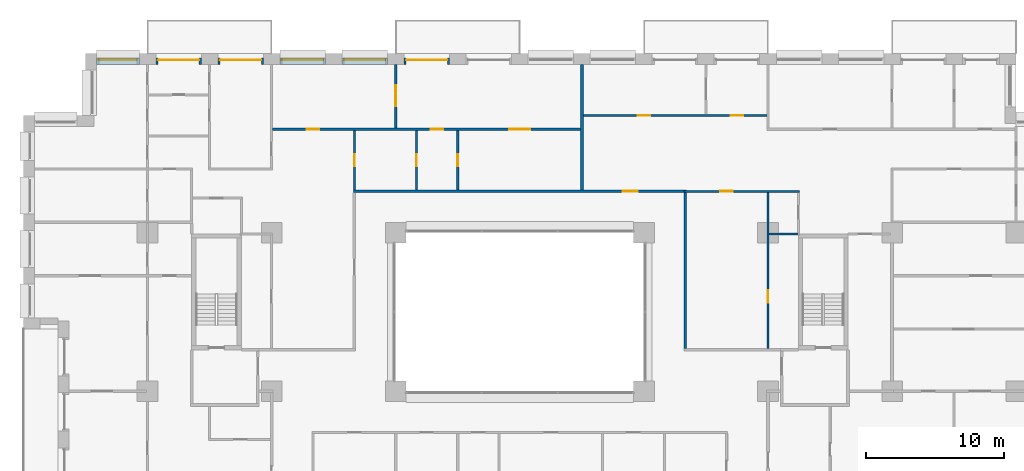
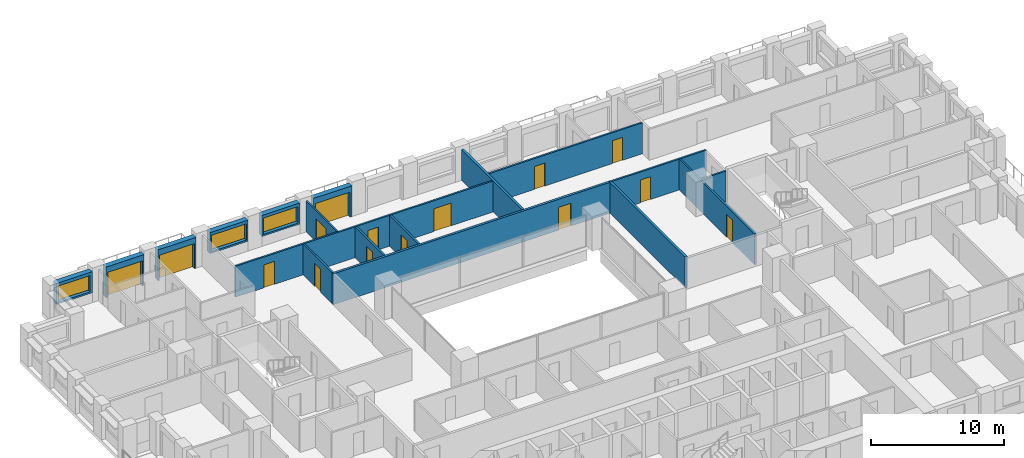
# One storey, part 14 of 20: 18 walls, 15 doors, 3 windows, 18 openings.
"""IFC4 building model written with IfcOpenShell, lengths in metres."""

from ifc_helpers import new_model, si_unit, direction, frame, frame_2d, origin, place, context, subcontext, project, spatial, rectangle, extrude, material, layer, layer_set, type_object, element, fill, save


model = new_model("IFC4")

# Units and contexts
model_context = context("Model", 3, precision=1e-05, world=origin(), true_north=direction((0.0, 1.0)))
body_context = subcontext(model_context, "Body", "Model", "MODEL_VIEW")
ifc_project = project(units=[si_unit("LENGTHUNIT", "METRE"), si_unit("AREAUNIT", "SQUARE_METRE"), si_unit("VOLUMEUNIT", "CUBIC_METRE"), si_unit("PLANEANGLEUNIT", "RADIAN"), si_unit("MASSUNIT", "GRAM", prefix="KILO")], contexts=[model_context])

# Site, building, storey
site_placement = place(None, origin())
site = spatial("IfcSite", under=ifc_project, at=site_placement, CompositionType="ELEMENT")
building_placement = place(site_placement, origin())
building = spatial("IfcBuilding", under=site, at=building_placement, Name="Brigalow Station Residences", CompositionType="ELEMENT")
storey_placement = place(building_placement, frame((0.0, 0.0, 63.60009765625)))
storey = spatial("IfcBuildingStorey", under=building, at=storey_placement, Name="L18", CompositionType="ELEMENT", Elevation=63.60009765625)

# Wall, opening, door
ifc_material_1 = material(Name="Clay brick masonry", Category="masonry")
ifc_layer_1 = layer(ifc_material_1, 0.449951171875)
ifc_layer_set_1 = layer_set([ifc_layer_1], Name="BRICK INFILL WALL 450")
wall_type_1 = type_object("IfcWallType", Name="BRICK INFILL WALL 450", PredefinedType="SOLIDWALL", material=ifc_layer_set_1)
wall_1_placement = place(storey_placement, frame((30.89990234375, 47.925048828125, 0.0), z_axis=(0.0, 0.0, 1.0), x_axis=(-1.0, 0.0, 0.0)))
wall_1 = element("IfcWall", 1, at=wall_1_placement, inside=storey, type_object=wall_type_1, Name="L18/ewall/W-L18-34", PredefinedType="SOLIDWALL", context=body_context, shape_type="SweptSolid", body=[
    extrude(rectangle(XDim=3.2998046875, YDim=0.449951171875, at=frame_2d((1.64990234375, 0.0))), origin(), (0.0, 0.0, 1.0), 2.829833984375),
])
opening_1_placement = place(wall_1_placement, frame((0.14990234375, 0.0, 0.0)))
opening_1 = element("IfcOpeningElement", 2, at=opening_1_placement, cuts=wall_1, Name="Opening D-B3000", PredefinedType="OPENING", context=body_context, shape_type="SweptSolid", body=[
    extrude(rectangle(XDim=3.0, YDim=2.300048828125, at=frame_2d((1.5, 1.14990234375))), frame((0.0, 0.23486328125, 0.0), z_axis=(0.0, -1.0, 0.0), x_axis=(1.0, 0.0, 0.0)), (0.0, 0.0, 1.0), 0.469970703125),
])
ifc_material_2 = material(Name="Anodised aluminium frame with double glazing", Category="aluminium")
door_type_1 = type_object("IfcDoorType", Name="BALCONY SLIDING DOOR 3000x2300", OperationType="SLIDING_TO_LEFT", PredefinedType="DOOR", material=ifc_material_2)
door_1_placement = place(opening_1_placement, origin())
door_1 = element("IfcDoor", 3, at=door_1_placement, inside=storey, type_object=door_type_1, Name="L18/balcony-door/W-L18-34", OperationType="SLIDING_TO_LEFT", OverallHeight=2.300048828125, OverallWidth=3.0, PredefinedType="DOOR", context=body_context, shape_type="SweptSolid", body=[
    extrude(rectangle(XDim=3.0, YDim=2.300048828125, at=frame_2d((1.5, 1.14990234375))), frame((0.0, -0.06982421875, 0.0), z_axis=(0.0, -1.0, 0.0), x_axis=(1.0, 0.0, 0.0)), (0.0, 0.0, 1.0), 0.050048828125),
])
fill(opening_1, door_1)

# Wall, opening, window
wall_2_placement = place(storey_placement, frame((26.39990234375, 47.925048828125, 0.89990234375), z_axis=(0.0, 0.0, 1.0), x_axis=(-1.0, 0.0, 0.0)))
wall_2 = element("IfcWall", 4, at=wall_2_placement, inside=storey, type_object=wall_type_1, Name="L18/ewall/W-L18-35", PredefinedType="SOLIDWALL", context=body_context, shape_type="SweptSolid", body=[
    extrude(rectangle(XDim=3.2998046875, YDim=0.449951171875, at=frame_2d((1.64990234375, 0.0))), origin(), (0.0, 0.0, 1.0), 1.929931640625),
])
opening_2_placement = place(wall_2_placement, frame((0.14990234375, 0.0, 0.14990234375)))
opening_2 = element("IfcOpeningElement", 5, at=opening_2_placement, cuts=wall_2, Name="Opening WT-2", PredefinedType="OPENING", context=body_context, shape_type="SweptSolid", body=[
    extrude(rectangle(XDim=3.0, YDim=1.5, at=frame_2d((1.5, 0.75))), frame((0.0, 0.23486328125, 0.0), z_axis=(0.0, -1.0, 0.0), x_axis=(1.0, 0.0, 0.0)), (0.0, 0.0, 1.0), 0.469970703125),
])
ifc_material_3 = material(Name="Anodised aluminium frame with double glazing", Category="aluminium")
window_type_1 = type_object("IfcWindowType", Name="WINDOW 3000x1500", PartitioningType="SINGLE_PANEL", PredefinedType="WINDOW", material=ifc_material_3)
window_1_placement = place(opening_2_placement, origin())
window_1 = element("IfcWindow", 6, at=window_1_placement, inside=storey, type_object=window_type_1, Name="L18/window/W-L18-35", OverallHeight=1.5, OverallWidth=3.0, PartitioningType="SINGLE_PANEL", PredefinedType="WINDOW", context=body_context, shape_type="SweptSolid", body=[
    extrude(rectangle(XDim=3.0, YDim=1.5, at=frame_2d((1.5, 0.75))), frame((0.0, -0.06494140625, 0.0), z_axis=(0.0, -1.0, 0.0), x_axis=(1.0, 0.0, 0.0)), (0.0, 0.0, 1.0), 0.06005859375),
])
fill(opening_2, window_1)

wall_3_placement = place(storey_placement, frame((21.89990234375, 47.925048828125, 0.89990234375), z_axis=(0.0, 0.0, 1.0), x_axis=(-1.0, 0.0, 0.0)))
wall_3 = element("IfcWall", 7, at=wall_3_placement, inside=storey, type_object=wall_type_1, Name="L18/ewall/W-L18-36", PredefinedType="SOLIDWALL", context=body_context, shape_type="SweptSolid", body=[
    extrude(rectangle(XDim=3.2998046875, YDim=0.449951171875, at=frame_2d((1.64990234375, 0.0))), origin(), (0.0, 0.0, 1.0), 1.929931640625),
])
opening_3_placement = place(wall_3_placement, frame((0.14990234375, 0.0, 0.14990234375)))
opening_3 = element("IfcOpeningElement", 8, at=opening_3_placement, cuts=wall_3, Name="Opening WT-2", PredefinedType="OPENING", context=body_context, shape_type="SweptSolid", body=[
    extrude(rectangle(XDim=3.0, YDim=1.5, at=frame_2d((1.5, 0.75))), frame((0.0, 0.23486328125, 0.0), z_axis=(0.0, -1.0, 0.0), x_axis=(1.0, 0.0, 0.0)), (0.0, 0.0, 1.0), 0.469970703125),
])
window_2_placement = place(opening_3_placement, origin())
window_2 = element("IfcWindow", 9, at=window_2_placement, inside=storey, type_object=window_type_1, Name="L18/window/W-L18-36", OverallHeight=1.5, OverallWidth=3.0, PartitioningType="SINGLE_PANEL", PredefinedType="WINDOW", context=body_context, shape_type="SweptSolid", body=[
    extrude(rectangle(XDim=3.0, YDim=1.5, at=frame_2d((1.5, 0.75))), frame((0.0, -0.06494140625, 0.0), z_axis=(0.0, -1.0, 0.0), x_axis=(1.0, 0.0, 0.0)), (0.0, 0.0, 1.0), 0.06005859375),
])
fill(opening_3, window_2)

# Wall, opening, door
wall_4_placement = place(storey_placement, frame((17.39990234375, 47.925048828125, 0.0), z_axis=(0.0, 0.0, 1.0), x_axis=(-1.0, 0.0, 0.0)))
wall_4 = element("IfcWall", 10, at=wall_4_placement, inside=storey, type_object=wall_type_1, Name="L18/ewall/W-L18-37", PredefinedType="SOLIDWALL", context=body_context, shape_type="SweptSolid", body=[
    extrude(rectangle(XDim=3.2998046875, YDim=0.449951171875, at=frame_2d((1.64990234375, 0.0))), origin(), (0.0, 0.0, 1.0), 2.829833984375),
])
opening_4_placement = place(wall_4_placement, frame((0.14990234375, 0.0, 0.0)))
opening_4 = element("IfcOpeningElement", 11, at=opening_4_placement, cuts=wall_4, Name="Opening D-B3000", PredefinedType="OPENING", context=body_context, shape_type="SweptSolid", body=[
    extrude(rectangle(XDim=3.0, YDim=2.300048828125, at=frame_2d((1.5, 1.14990234375))), frame((0.0, 0.23486328125, 0.0), z_axis=(0.0, -1.0, 0.0), x_axis=(1.0, 0.0, 0.0)), (0.0, 0.0, 1.0), 0.469970703125),
])
door_2_placement = place(opening_4_placement, origin())
door_2 = element("IfcDoor", 12, at=door_2_placement, inside=storey, type_object=door_type_1, Name="L18/balcony-door/W-L18-37", OperationType="SLIDING_TO_LEFT", OverallHeight=2.300048828125, OverallWidth=3.0, PredefinedType="DOOR", context=body_context, shape_type="SweptSolid", body=[
    extrude(rectangle(XDim=3.0, YDim=2.300048828125, at=frame_2d((1.5, 1.14990234375))), frame((0.0, -0.06982421875, 0.0), z_axis=(0.0, -1.0, 0.0), x_axis=(1.0, 0.0, 0.0)), (0.0, 0.0, 1.0), 0.050048828125),
])
fill(opening_4, door_2)

wall_5_placement = place(storey_placement, frame((12.89990234375, 47.925048828125, 0.0), z_axis=(0.0, 0.0, 1.0), x_axis=(-1.0, 0.0, 0.0)))
wall_5 = element("IfcWall", 13, at=wall_5_placement, inside=storey, type_object=wall_type_1, Name="L18/ewall/W-L18-38", PredefinedType="SOLIDWALL", context=body_context, shape_type="SweptSolid", body=[
    extrude(rectangle(XDim=3.2998046875, YDim=0.449951171875, at=frame_2d((1.64990234375, 0.0))), origin(), (0.0, 0.0, 1.0), 2.829833984375),
])
opening_5_placement = place(wall_5_placement, frame((0.14990234375, 0.0, 0.0)))
opening_5 = element("IfcOpeningElement", 14, at=opening_5_placement, cuts=wall_5, Name="Opening D-B3000", PredefinedType="OPENING", context=body_context, shape_type="SweptSolid", body=[
    extrude(rectangle(XDim=3.0, YDim=2.300048828125, at=frame_2d((1.5, 1.14990234375))), frame((0.0, 0.23486328125, 0.0), z_axis=(0.0, -1.0, 0.0), x_axis=(1.0, 0.0, 0.0)), (0.0, 0.0, 1.0), 0.469970703125),
])
door_3_placement = place(opening_5_placement, origin())
door_3 = element("IfcDoor", 15, at=door_3_placement, inside=storey, type_object=door_type_1, Name="L18/balcony-door/W-L18-38", OperationType="SLIDING_TO_LEFT", OverallHeight=2.300048828125, OverallWidth=3.0, PredefinedType="DOOR", context=body_context, shape_type="SweptSolid", body=[
    extrude(rectangle(XDim=3.0, YDim=2.300048828125, at=frame_2d((1.5, 1.14990234375))), frame((0.0, -0.06982421875, 0.0), z_axis=(0.0, -1.0, 0.0), x_axis=(1.0, 0.0, 0.0)), (0.0, 0.0, 1.0), 0.050048828125),
])
fill(opening_5, door_3)

# Wall, opening, window
wall_6_placement = place(storey_placement, frame((8.39990234375, 47.925048828125, 0.89990234375), z_axis=(0.0, 0.0, 1.0), x_axis=(-1.0, 0.0, 0.0)))
wall_6 = element("IfcWall", 16, at=wall_6_placement, inside=storey, type_object=wall_type_1, Name="L18/ewall/W-L18-39", PredefinedType="SOLIDWALL", context=body_context, shape_type="SweptSolid", body=[
    extrude(rectangle(XDim=3.099853515625, YDim=0.449951171875, at=frame_2d((1.5498046875, 0.0))), origin(), (0.0, 0.0, 1.0), 1.929931640625),
])
opening_6_placement = place(wall_6_placement, frame((0.175048828125, 0.0, 0.14990234375)))
opening_6 = element("IfcOpeningElement", 17, at=opening_6_placement, cuts=wall_6, Name="Opening WT-3", PredefinedType="OPENING", context=body_context, shape_type="SweptSolid", body=[
    extrude(rectangle(XDim=2.75, YDim=1.5, at=frame_2d((1.375, 0.75))), frame((0.0, 0.23486328125, 0.0), z_axis=(0.0, -1.0, 0.0), x_axis=(1.0, 0.0, 0.0)), (0.0, 0.0, 1.0), 0.469970703125),
])
ifc_material_4 = material(Name="Anodised aluminium frame with double glazing", Category="aluminium")
window_type_2 = type_object("IfcWindowType", Name="WINDOW 2750x1500", PartitioningType="SINGLE_PANEL", PredefinedType="WINDOW", material=ifc_material_4)
window_3_placement = place(opening_6_placement, origin())
window_3 = element("IfcWindow", 18, at=window_3_placement, inside=storey, type_object=window_type_2, Name="L18/window/W-L18-39", OverallHeight=1.5, OverallWidth=2.75, PartitioningType="SINGLE_PANEL", PredefinedType="WINDOW", context=body_context, shape_type="SweptSolid", body=[
    extrude(rectangle(XDim=2.75, YDim=1.5, at=frame_2d((1.375, 0.75))), frame((0.0, -0.06494140625, 0.0), z_axis=(0.0, -1.0, 0.0), x_axis=(1.0, 0.0, 0.0)), (0.0, 0.0, 1.0), 0.06005859375),
])
fill(opening_6, window_3)

# Wall, opening, door
ifc_material_5 = material(Name="Plasterboard on steel stud partition", Category="steel")
ifc_layer_2 = layer(ifc_material_5, 0.14990234375)
ifc_layer_set_2 = layer_set([ifc_layer_2], Name="FLAT PARTITION 150")
wall_type_2 = type_object("IfcWallType", Name="FLAT PARTITION 150", PredefinedType="PARTITIONING", material=ifc_layer_set_2)
wall_7_placement = place(storey_placement, frame((47.89990234375, 38.5, 0.0), z_axis=(0.0, 0.0, 1.0), x_axis=(1.0, 0.0, 0.0)))
wall_7 = element("IfcWall", 19, at=wall_7_placement, inside=storey, type_object=wall_type_2, Name="PW-1F09", PredefinedType="PARTITIONING", context=body_context, shape_type="SweptSolid", body=[
    extrude(rectangle(XDim=8.375, YDim=0.14990234375, at=frame_2d((4.1875, 0.0))), origin(), (0.0, 0.0, 1.0), 2.829833984375),
])
opening_7_placement = place(wall_7_placement, frame((2.64990234375, 0.0, 0.0)))
opening_7 = element("IfcOpeningElement", 20, at=opening_7_placement, cuts=wall_7, Name="Opening D-1F42", PredefinedType="OPENING", context=body_context, shape_type="SweptSolid", body=[
    extrude(rectangle(XDim=0.89990234375, YDim=2.10009765625, at=frame_2d((0.449951171875, 1.050048828125))), frame((0.0, 0.0849609375, 0.0), z_axis=(0.0, -1.0, 0.0), x_axis=(1.0, 0.0, 0.0)), (0.0, 0.0, 1.0), 0.169921875),
])
ifc_material_6 = material(Name="Solid-core timber door leaf", Category="wood")
door_type_2 = type_object("IfcDoorType", Name="INTERNAL DOOR 900 x 2100", OperationType="SINGLE_SWING_LEFT", PredefinedType="DOOR", material=ifc_material_6)
door_4_placement = place(opening_7_placement, frame((0.89990234375, 0.0, 0.0), z_axis=(0.0, 0.0, 1.0), x_axis=(-1.0, 0.0, 0.0)))
door_4 = element("IfcDoor", 21, at=door_4_placement, inside=storey, type_object=door_type_2, Name="D-1F42", OperationType="SINGLE_SWING_RIGHT", OverallHeight=2.10009765625, OverallWidth=0.89990234375, PredefinedType="DOOR", context=body_context, shape_type="SweptSolid", body=[
    extrude(rectangle(XDim=0.89990234375, YDim=2.10009765625, at=frame_2d((0.449951171875, 1.050048828125))), frame((0.0, 0.02490234375, 0.0), z_axis=(0.0, -1.0, 0.0), x_axis=(1.0, 0.0, 0.0)), (0.0, 0.0, 1.0), 0.050048828125),
])
fill(opening_7, door_4)

# Wall, openings, doors
wall_8_placement = place(storey_placement, frame((18.074951171875, 43.0, 0.0), z_axis=(0.0, 0.0, 1.0), x_axis=(1.0, 0.0, 0.0)))
wall_8 = element("IfcWall", 22, at=wall_8_placement, inside=storey, type_object=wall_type_2, Name="PW-1F22", PredefinedType="PARTITIONING", context=body_context, shape_type="SweptSolid", body=[
    extrude(rectangle(XDim=22.324951171875, YDim=0.14990234375, at=frame_2d((11.16259765625, 0.0))), origin(), (0.0, 0.0, 1.0), 2.829833984375),
])
opening_8_placement = place(wall_8_placement, frame((17.175048828125, 0.0, 0.0)))
opening_8 = element("IfcOpeningElement", 23, at=opening_8_placement, cuts=wall_8, Name="Opening D-1F22", PredefinedType="OPENING", context=body_context, shape_type="SweptSolid", body=[
    extrude(rectangle(XDim=1.5, YDim=2.10009765625, at=frame_2d((0.75, 1.050048828125))), frame((0.0, 0.0849609375, 0.0), z_axis=(0.0, -1.0, 0.0), x_axis=(1.0, 0.0, 0.0)), (0.0, 0.0, 1.0), 0.169921875),
])
opening_9_placement = place(wall_8_placement, frame((11.47509765625, 0.0, 0.0)))
opening_9 = element("IfcOpeningElement", 24, at=opening_9_placement, cuts=wall_8, Name="Opening D-1F24", PredefinedType="OPENING", context=body_context, shape_type="SweptSolid", body=[
    extrude(rectangle(XDim=0.89990234375, YDim=2.10009765625, at=frame_2d((0.449951171875, 1.050048828125))), frame((0.0, 0.0849609375, 0.0), z_axis=(0.0, -1.0, 0.0), x_axis=(1.0, 0.0, 0.0)), (0.0, 0.0, 1.0), 0.169921875),
])
opening_10_placement = place(wall_8_placement, frame((2.47509765625, 0.0, 0.0)))
opening_10 = element("IfcOpeningElement", 25, at=opening_10_placement, cuts=wall_8, Name="Opening D-1F30", PredefinedType="OPENING", context=body_context, shape_type="SweptSolid", body=[
    extrude(rectangle(XDim=0.89990234375, YDim=2.10009765625, at=frame_2d((0.449951171875, 1.050048828125))), frame((0.0, 0.0849609375, 0.0), z_axis=(0.0, -1.0, 0.0), x_axis=(1.0, 0.0, 0.0)), (0.0, 0.0, 1.0), 0.169921875),
])
door_5_placement = place(opening_9_placement, frame((0.89990234375, 0.0, 0.0), z_axis=(0.0, 0.0, 1.0), x_axis=(-1.0, 0.0, 0.0)))
door_5 = element("IfcDoor", 26, at=door_5_placement, inside=storey, type_object=door_type_2, Name="D-1F24", OperationType="SINGLE_SWING_RIGHT", OverallHeight=2.10009765625, OverallWidth=0.89990234375, PredefinedType="DOOR", context=body_context, shape_type="SweptSolid", body=[
    extrude(rectangle(XDim=0.89990234375, YDim=2.10009765625, at=frame_2d((0.449951171875, 1.050048828125))), frame((0.0, 0.02490234375, 0.0), z_axis=(0.0, -1.0, 0.0), x_axis=(1.0, 0.0, 0.0)), (0.0, 0.0, 1.0), 0.050048828125),
])
fill(opening_9, door_5)
door_6_placement = place(opening_10_placement, origin())
door_6 = element("IfcDoor", 27, at=door_6_placement, inside=storey, type_object=door_type_2, Name="D-1F30", OperationType="SINGLE_SWING_LEFT", OverallHeight=2.10009765625, OverallWidth=0.89990234375, PredefinedType="DOOR", context=body_context, shape_type="SweptSolid", body=[
    extrude(rectangle(XDim=0.89990234375, YDim=2.10009765625, at=frame_2d((0.449951171875, 1.050048828125))), frame((0.0, 0.02490234375, 0.0), z_axis=(0.0, -1.0, 0.0), x_axis=(1.0, 0.0, 0.0)), (0.0, 0.0, 1.0), 0.050048828125),
])
fill(opening_10, door_6)
ifc_material_7 = material(Name="Solid-core timber door leaf", Category="wood")
door_type_3 = type_object("IfcDoorType", Name="INTERNAL DOUBLE DOOR 1500 x 2100", OperationType="DOUBLE_DOOR_SINGLE_SWING", PredefinedType="DOOR", material=ifc_material_7)
door_7_placement = place(opening_8_placement, frame((1.5, 0.0, 0.0), z_axis=(0.0, 0.0, 1.0), x_axis=(-1.0, 0.0, 0.0)))
door_7 = element("IfcDoor", 28, at=door_7_placement, inside=storey, type_object=door_type_3, Name="D-1F22", OperationType="DOUBLE_DOOR_SINGLE_SWING", OverallHeight=2.10009765625, OverallWidth=1.5, PredefinedType="DOOR", context=body_context, shape_type="SweptSolid", body=[
    extrude(rectangle(XDim=1.5, YDim=2.10009765625, at=frame_2d((0.75, 1.050048828125))), frame((0.0, 0.02490234375, 0.0), z_axis=(0.0, -1.0, 0.0), x_axis=(1.0, 0.0, 0.0)), (0.0, 0.0, 1.0), 0.050048828125),
])
fill(opening_8, door_7)

# Wall
wall_9_placement = place(storey_placement, frame((54.074951171875, 35.39990234375, 0.0), z_axis=(0.0, 0.0, 1.0), x_axis=(1.0, 0.0, 0.0)))
element("IfcWall", 29, at=wall_9_placement, inside=storey, type_object=wall_type_2, Name="PW-1F26", PredefinedType="PARTITIONING", context=body_context, shape_type="SweptSolid", body=[
    extrude(rectangle(XDim=2.125, YDim=0.14990234375, at=frame_2d((1.0625, 0.0))), origin(), (0.0, 0.0, 1.0), 2.829833984375),
])

# Wall, openings, doors
wall_10_placement = place(storey_placement, frame((40.60009765625, 44.0, 0.0), z_axis=(0.0, 0.0, 1.0), x_axis=(1.0, 0.0, 0.0)))
wall_10 = element("IfcWall", 30, at=wall_10_placement, inside=storey, type_object=wall_type_2, Name="PW-1F35", PredefinedType="PARTITIONING", context=body_context, shape_type="SweptSolid", body=[
    extrude(rectangle(XDim=13.324951171875, YDim=0.14990234375, at=frame_2d((6.66259765625, 0.0))), origin(), (0.0, 0.0, 1.0), 2.829833984375),
])
opening_11_placement = place(wall_10_placement, frame((10.699951171875, 0.0, 0.0)))
opening_11 = element("IfcOpeningElement", 31, at=opening_11_placement, cuts=wall_10, Name="Opening D-1F39", PredefinedType="OPENING", context=body_context, shape_type="SweptSolid", body=[
    extrude(rectangle(XDim=0.89990234375, YDim=2.10009765625, at=frame_2d((0.449951171875, 1.050048828125))), frame((0.0, 0.0849609375, 0.0), z_axis=(0.0, -1.0, 0.0), x_axis=(1.0, 0.0, 0.0)), (0.0, 0.0, 1.0), 0.169921875),
])
opening_12_placement = place(wall_10_placement, frame((3.949951171875, 0.0, 0.0)))
opening_12 = element("IfcOpeningElement", 32, at=opening_12_placement, cuts=wall_10, Name="Opening D-1F43", PredefinedType="OPENING", context=body_context, shape_type="SweptSolid", body=[
    extrude(rectangle(XDim=0.89990234375, YDim=2.10009765625, at=frame_2d((0.449951171875, 1.050048828125))), frame((0.0, 0.0849609375, 0.0), z_axis=(0.0, -1.0, 0.0), x_axis=(1.0, 0.0, 0.0)), (0.0, 0.0, 1.0), 0.169921875),
])
door_8_placement = place(opening_11_placement, origin())
door_8 = element("IfcDoor", 33, at=door_8_placement, inside=storey, type_object=door_type_2, Name="D-1F39", OperationType="SINGLE_SWING_RIGHT", OverallHeight=2.10009765625, OverallWidth=0.89990234375, PredefinedType="DOOR", context=body_context, shape_type="SweptSolid", body=[
    extrude(rectangle(XDim=0.89990234375, YDim=2.10009765625, at=frame_2d((0.449951171875, 1.050048828125))), frame((0.0, 0.02490234375, 0.0), z_axis=(0.0, -1.0, 0.0), x_axis=(1.0, 0.0, 0.0)), (0.0, 0.0, 1.0), 0.050048828125),
])
fill(opening_11, door_8)
door_9_placement = place(opening_12_placement, origin())
door_9 = element("IfcDoor", 34, at=door_9_placement, inside=storey, type_object=door_type_2, Name="D-1F43", OperationType="SINGLE_SWING_LEFT", OverallHeight=2.10009765625, OverallWidth=0.89990234375, PredefinedType="DOOR", context=body_context, shape_type="SweptSolid", body=[
    extrude(rectangle(XDim=0.89990234375, YDim=2.10009765625, at=frame_2d((0.449951171875, 1.050048828125))), frame((0.0, 0.02490234375, 0.0), z_axis=(0.0, -1.0, 0.0), x_axis=(1.0, 0.0, 0.0)), (0.0, 0.0, 1.0), 0.050048828125),
])
fill(opening_12, door_9)

# Wall, opening, door
wall_11_placement = place(storey_placement, frame((54.0, 27.10009765625, 0.0), z_axis=(0.0, 0.0, 1.0), x_axis=(0.0, 1.0, 0.0)))
wall_11 = element("IfcWall", 35, at=wall_11_placement, inside=storey, type_object=wall_type_2, Name="PW-1F41", PredefinedType="PARTITIONING", context=body_context, shape_type="SweptSolid", body=[
    extrude(rectangle(XDim=11.324951171875, YDim=0.14990234375, at=frame_2d((5.66259765625, 0.0))), origin(), (0.0, 0.0, 1.0), 2.829833984375),
])
opening_13_placement = place(wall_11_placement, frame((3.324951171875, 0.0, 0.0)))
opening_13 = element("IfcOpeningElement", 36, at=opening_13_placement, cuts=wall_11, Name="Opening D-1F49", PredefinedType="OPENING", context=body_context, shape_type="SweptSolid", body=[
    extrude(rectangle(XDim=0.89990234375, YDim=2.10009765625, at=frame_2d((0.449951171875, 1.050048828125))), frame((0.0, 0.0849609375, 0.0), z_axis=(0.0, -1.0, 0.0), x_axis=(1.0, 0.0, 0.0)), (0.0, 0.0, 1.0), 0.169921875),
])
door_10_placement = place(opening_13_placement, frame((0.89990234375, 0.0, 0.0), z_axis=(0.0, 0.0, 1.0), x_axis=(-1.0, 0.0, 0.0)))
door_10 = element("IfcDoor", 37, at=door_10_placement, inside=storey, type_object=door_type_2, Name="D-1F49", OperationType="SINGLE_SWING_RIGHT", OverallHeight=2.10009765625, OverallWidth=0.89990234375, PredefinedType="DOOR", context=body_context, shape_type="SweptSolid", body=[
    extrude(rectangle(XDim=0.89990234375, YDim=2.10009765625, at=frame_2d((0.449951171875, 1.050048828125))), frame((0.0, 0.02490234375, 0.0), z_axis=(0.0, -1.0, 0.0), x_axis=(1.0, 0.0, 0.0)), (0.0, 0.0, 1.0), 0.050048828125),
])
fill(opening_13, door_10)

wall_12_placement = place(storey_placement, frame((24.0, 38.60009765625, 0.0), z_axis=(0.0, 0.0, 1.0), x_axis=(0.0, 1.0, 0.0)))
wall_12 = element("IfcWall", 38, at=wall_12_placement, inside=storey, type_object=wall_type_2, Name="PW-1F46", PredefinedType="PARTITIONING", context=body_context, shape_type="SweptSolid", body=[
    extrude(rectangle(XDim=4.324951171875, YDim=0.14990234375, at=frame_2d((2.16259765625, 0.0))), origin(), (0.0, 0.0, 1.0), 2.829833984375),
])
opening_14_placement = place(wall_12_placement, frame((1.699951171875, 0.0, 0.0)))
opening_14 = element("IfcOpeningElement", 39, at=opening_14_placement, cuts=wall_12, Name="Opening D-1F28", PredefinedType="OPENING", context=body_context, shape_type="SweptSolid", body=[
    extrude(rectangle(XDim=0.89990234375, YDim=2.10009765625, at=frame_2d((0.449951171875, 1.050048828125))), frame((0.0, 0.0849609375, 0.0), z_axis=(0.0, -1.0, 0.0), x_axis=(1.0, 0.0, 0.0)), (0.0, 0.0, 1.0), 0.169921875),
])
door_11_placement = place(opening_14_placement, frame((0.89990234375, 0.0, 0.0), z_axis=(0.0, 0.0, 1.0), x_axis=(-1.0, 0.0, 0.0)))
door_11 = element("IfcDoor", 40, at=door_11_placement, inside=storey, type_object=door_type_2, Name="D-1F28", OperationType="SINGLE_SWING_RIGHT", OverallHeight=2.10009765625, OverallWidth=0.89990234375, PredefinedType="DOOR", context=body_context, shape_type="SweptSolid", body=[
    extrude(rectangle(XDim=0.89990234375, YDim=2.10009765625, at=frame_2d((0.449951171875, 1.050048828125))), frame((0.0, 0.02490234375, 0.0), z_axis=(0.0, -1.0, 0.0), x_axis=(1.0, 0.0, 0.0)), (0.0, 0.0, 1.0), 0.050048828125),
])
fill(opening_14, door_11)

wall_13_placement = place(storey_placement, frame((27.0, 43.074951171875, 0.0), z_axis=(0.0, 0.0, 1.0), x_axis=(0.0, 1.0, 0.0)))
wall_13 = element("IfcWall", 41, at=wall_13_placement, inside=storey, type_object=wall_type_2, Name="PW-1F64", PredefinedType="PARTITIONING", context=body_context, shape_type="SweptSolid", body=[
    extrude(rectangle(XDim=4.625, YDim=0.14990234375, at=frame_2d((2.3125, 0.0))), origin(), (0.0, 0.0, 1.0), 2.829833984375),
])
opening_15_placement = place(wall_13_placement, frame((1.60009765625, 0.0, 0.0)))
opening_15 = element("IfcOpeningElement", 42, at=opening_15_placement, cuts=wall_13, Name="Opening D-1F23", PredefinedType="OPENING", context=body_context, shape_type="SweptSolid", body=[
    extrude(rectangle(XDim=1.5, YDim=2.10009765625, at=frame_2d((0.75, 1.050048828125))), frame((0.0, 0.0849609375, 0.0), z_axis=(0.0, -1.0, 0.0), x_axis=(1.0, 0.0, 0.0)), (0.0, 0.0, 1.0), 0.169921875),
])
door_12_placement = place(opening_15_placement, origin())
door_12 = element("IfcDoor", 43, at=door_12_placement, inside=storey, type_object=door_type_3, Name="D-1F23", OperationType="DOUBLE_DOOR_SINGLE_SWING", OverallHeight=2.10009765625, OverallWidth=1.5, PredefinedType="DOOR", context=body_context, shape_type="SweptSolid", body=[
    extrude(rectangle(XDim=1.5, YDim=2.10009765625, at=frame_2d((0.75, 1.050048828125))), frame((0.0, 0.02490234375, 0.0), z_axis=(0.0, -1.0, 0.0), x_axis=(1.0, 0.0, 0.0)), (0.0, 0.0, 1.0), 0.050048828125),
])
fill(opening_15, door_12)

wall_14_placement = place(storey_placement, frame((28.5, 38.60009765625, 0.0), z_axis=(0.0, 0.0, 1.0), x_axis=(0.0, 1.0, 0.0)))
wall_14 = element("IfcWall", 44, at=wall_14_placement, inside=storey, type_object=wall_type_2, Name="PW-1F65", PredefinedType="PARTITIONING", context=body_context, shape_type="SweptSolid", body=[
    extrude(rectangle(XDim=4.324951171875, YDim=0.14990234375, at=frame_2d((2.16259765625, 0.0))), origin(), (0.0, 0.0, 1.0), 2.829833984375),
])
opening_16_placement = place(wall_14_placement, frame((1.699951171875, 0.0, 0.0)))
opening_16 = element("IfcOpeningElement", 45, at=opening_16_placement, cuts=wall_14, Name="Opening D-1F34", PredefinedType="OPENING", context=body_context, shape_type="SweptSolid", body=[
    extrude(rectangle(XDim=0.89990234375, YDim=2.10009765625, at=frame_2d((0.449951171875, 1.050048828125))), frame((0.0, 0.0849609375, 0.0), z_axis=(0.0, -1.0, 0.0), x_axis=(1.0, 0.0, 0.0)), (0.0, 0.0, 1.0), 0.169921875),
])
door_13_placement = place(opening_16_placement, frame((0.89990234375, 0.0, 0.0), z_axis=(0.0, 0.0, 1.0), x_axis=(-1.0, 0.0, 0.0)))
door_13 = element("IfcDoor", 46, at=door_13_placement, inside=storey, type_object=door_type_2, Name="D-1F34", OperationType="SINGLE_SWING_RIGHT", OverallHeight=2.10009765625, OverallWidth=0.89990234375, PredefinedType="DOOR", context=body_context, shape_type="SweptSolid", body=[
    extrude(rectangle(XDim=0.89990234375, YDim=2.10009765625, at=frame_2d((0.449951171875, 1.050048828125))), frame((0.0, 0.02490234375, 0.0), z_axis=(0.0, -1.0, 0.0), x_axis=(1.0, 0.0, 0.0)), (0.0, 0.0, 1.0), 0.050048828125),
])
fill(opening_16, door_13)

wall_15_placement = place(storey_placement, frame((31.5, 38.60009765625, 0.0), z_axis=(0.0, 0.0, 1.0), x_axis=(0.0, 1.0, 0.0)))
wall_15 = element("IfcWall", 47, at=wall_15_placement, inside=storey, type_object=wall_type_2, Name="PW-1F67", PredefinedType="PARTITIONING", context=body_context, shape_type="SweptSolid", body=[
    extrude(rectangle(XDim=4.324951171875, YDim=0.14990234375, at=frame_2d((2.16259765625, 0.0))), origin(), (0.0, 0.0, 1.0), 2.829833984375),
])
opening_17_placement = place(wall_15_placement, frame((1.699951171875, 0.0, 0.0)))
opening_17 = element("IfcOpeningElement", 48, at=opening_17_placement, cuts=wall_15, Name="Opening D-1F35", PredefinedType="OPENING", context=body_context, shape_type="SweptSolid", body=[
    extrude(rectangle(XDim=0.89990234375, YDim=2.10009765625, at=frame_2d((0.449951171875, 1.050048828125))), frame((0.0, 0.0849609375, 0.0), z_axis=(0.0, -1.0, 0.0), x_axis=(1.0, 0.0, 0.0)), (0.0, 0.0, 1.0), 0.169921875),
])
door_14_placement = place(opening_17_placement, origin())
door_14 = element("IfcDoor", 49, at=door_14_placement, inside=storey, type_object=door_type_2, Name="D-1F35", OperationType="SINGLE_SWING_LEFT", OverallHeight=2.10009765625, OverallWidth=0.89990234375, PredefinedType="DOOR", context=body_context, shape_type="SweptSolid", body=[
    extrude(rectangle(XDim=0.89990234375, YDim=2.10009765625, at=frame_2d((0.449951171875, 1.050048828125))), frame((0.0, 0.02490234375, 0.0), z_axis=(0.0, -1.0, 0.0), x_axis=(1.0, 0.0, 0.0)), (0.0, 0.0, 1.0), 0.050048828125),
])
fill(opening_17, door_14)

ifc_material_8 = material(Name="Plasterboard on steel stud partition", Category="steel")
ifc_layer_3 = layer(ifc_material_8, 0.199951171875)
ifc_layer_set_3 = layer_set([ifc_layer_3], Name="PARTY AND CORRIDOR WALL 200")
wall_type_3 = type_object("IfcWallType", Name="PARTY AND CORRIDOR WALL 200", PredefinedType="PARTITIONING", material=ifc_layer_set_3)
wall_16_placement = place(storey_placement, frame((23.925048828125, 38.5, 0.0), z_axis=(0.0, 0.0, 1.0), x_axis=(1.0, 0.0, 0.0)))
wall_16 = element("IfcWall", 50, at=wall_16_placement, inside=storey, type_object=wall_type_3, Name="PW-1F10", PredefinedType="PARTITIONING", context=body_context, shape_type="SweptSolid", body=[
    extrude(rectangle(XDim=24.175048828125, YDim=0.199951171875, at=frame_2d((12.08740234375, 0.0))), origin(), (0.0, 0.0, 1.0), 2.829833984375),
])
opening_18_placement = place(wall_16_placement, frame((19.52490234375, 0.0, 0.0)))
opening_18 = element("IfcOpeningElement", 51, at=opening_18_placement, cuts=wall_16, Name="Opening D-1F51", PredefinedType="OPENING", context=body_context, shape_type="SweptSolid", body=[
    extrude(rectangle(XDim=1.10009765625, YDim=2.10009765625, at=frame_2d((0.550048828125, 1.050048828125))), frame((0.0, 0.10986328125, 0.0), z_axis=(0.0, -1.0, 0.0), x_axis=(1.0, 0.0, 0.0)), (0.0, 0.0, 1.0), 0.219970703125),
])
ifc_material_9 = material(Name="Solid-core timber door leaf", Category="wood")
door_type_4 = type_object("IfcDoorType", Name="FLAT ENTRANCE DOOR 1100 x 2100 FRL -/60/30", OperationType="SINGLE_SWING_LEFT", PredefinedType="DOOR", material=ifc_material_9)
door_15_placement = place(opening_18_placement, origin())
door_15 = element("IfcDoor", 52, at=door_15_placement, inside=storey, type_object=door_type_4, Name="D-1F51", OperationType="SINGLE_SWING_LEFT", OverallHeight=2.10009765625, OverallWidth=1.10009765625, PredefinedType="DOOR", context=body_context, shape_type="SweptSolid", body=[
    extrude(rectangle(XDim=1.10009765625, YDim=2.10009765625, at=frame_2d((0.550048828125, 1.050048828125))), frame((0.0, 0.02490234375, 0.0), z_axis=(0.0, -1.0, 0.0), x_axis=(1.0, 0.0, 0.0)), (0.0, 0.0, 1.0), 0.050048828125),
])
fill(opening_18, door_15)

# Walls
wall_17_placement = place(storey_placement, frame((48.0, 27.10009765625, 0.0), z_axis=(0.0, 0.0, 1.0), x_axis=(0.0, 1.0, 0.0)))
element("IfcWall", 53, at=wall_17_placement, inside=storey, type_object=wall_type_3, Name="PW-1F48", PredefinedType="PARTITIONING", context=body_context, shape_type="SweptSolid", body=[
    extrude(rectangle(XDim=11.324951171875, YDim=0.199951171875, at=frame_2d((5.66259765625, 0.0))), origin(), (0.0, 0.0, 1.0), 2.829833984375),
])
wall_18_placement = place(storey_placement, frame((40.5, 38.60009765625, 0.0), z_axis=(0.0, 0.0, 1.0), x_axis=(0.0, 1.0, 0.0)))
element("IfcWall", 54, at=wall_18_placement, inside=storey, type_object=wall_type_3, Name="PW-1F68", PredefinedType="PARTITIONING", context=body_context, shape_type="SweptSolid", body=[
    extrude(rectangle(XDim=9.099853515625, YDim=0.199951171875, at=frame_2d((4.5498046875, 0.0))), origin(), (0.0, 0.0, 1.0), 2.829833984375),
])

save(model, "model.ifc")
